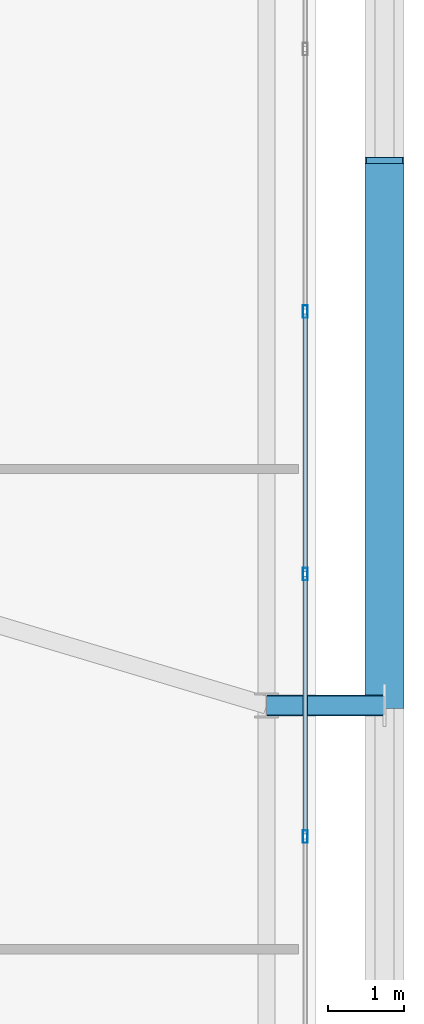
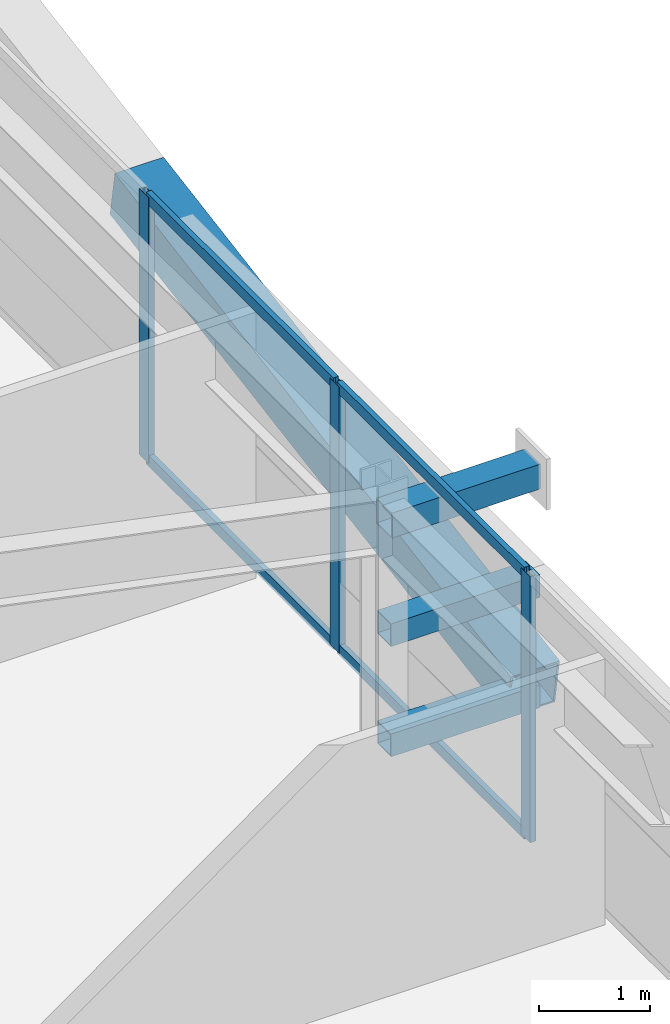
# One storey, part 30 of 59: 11 members, 1 element without a shape of its own.
"""IFC4 building model written with IfcOpenShell, lengths in metres."""

from ifc_helpers import new_model, si_unit, direction, frame, origin, origin_2d, place, context, subcontext, project, spatial, hollow_rectangle, extrude, source, transform, mapped, material, layer, layer_set, material_profile, profile_set, type_object, element, aggregate, save


model = new_model("IFC4")

# Units and contexts
model_context = context("Model", 3, precision=1e-05, world=origin(), true_north=direction((0.0, 1.0)))
body_context = subcontext(model_context, "Body", "Model", "MODEL_VIEW")
ifc_project = project(units=[si_unit("LENGTHUNIT", "METRE"), si_unit("AREAUNIT", "SQUARE_METRE"), si_unit("VOLUMEUNIT", "CUBIC_METRE"), si_unit("PLANEANGLEUNIT", "RADIAN"), si_unit("MASSUNIT", "GRAM", prefix="KILO")], contexts=[model_context])

# Site, building, storey
site_placement = place(None, origin())
site = spatial("IfcSite", under=ifc_project, at=site_placement, CompositionType="ELEMENT")
building_placement = place(site_placement, origin())
building = spatial("IfcBuilding", under=site, at=building_placement, Name="Taldren Reach Tower", CompositionType="ELEMENT")
storey_placement = place(building_placement, frame((0.0, 0.0, 45.14990234375)))
storey = spatial("IfcBuildingStorey", under=building, at=storey_placement, Name="L13", CompositionType="ELEMENT", Elevation=45.14990234375)

# Members
ifc_material_1 = material(Name="Steel Gr 450 (C450L0)", Category="steel")
ifc_material_profile_1 = material_profile(ifc_material_1, hollow_rectangle(XDim=0.27490234375, YDim=0.27490234375, WallThickness=0.00927734375, at=origin_2d()), Name="275x275x9.3SHS")
ifc_profile_set_1 = profile_set([ifc_material_profile_1], Name="Steel Gr 450 (C450L0)")
member_type_1 = type_object("IfcMemberType", Name="MB-TIE273", PredefinedType="STRUT", material=ifc_profile_set_1)
shared_shape_1 = source(origin(), body_context, "Body", "SweptSolid", [
    extrude(hollow_rectangle(XDim=0.27490234375, YDim=0.27490234375, WallThickness=0.00927734375, at=origin_2d()), origin(), (0.0, 0.0, 1.0), 1.5498046875),
])
member_1_placement = place(storey_placement, frame((64.35009765625, 20.0, 2.650146484375), z_axis=(1.0, 0.0, 0.0), x_axis=(0.0, 1.0, 0.0)))
element("IfcMember", 1, at=member_1_placement, inside=storey, type_object=member_type_1, Name="Exoskeleton diaphragm tie strut B1-E2 L13", PredefinedType="STRUT", context=body_context, shape_type="MappedRepresentation", body=[
    mapped(shared_shape_1, transform((0.0, 0.0, 0.0), scale=1.0)),
])
ifc_material_2 = material(Name="Steel Gr 350 (C350L0)", Category="steel")
ifc_material_profile_2 = material_profile(ifc_material_2, hollow_rectangle(XDim=0.25, YDim=0.25, WallThickness=0.010009765625, at=origin_2d()), Name="250x250x10.0SHS")
ifc_profile_set_2 = profile_set([ifc_material_profile_2], Name="Steel Gr 350 (C350L0)")
member_type_2 = type_object("IfcMemberType", Name="MB-POST250", PredefinedType="POST", material=ifc_profile_set_2)
shared_shape_2 = source(origin(), body_context, "Body", "SweptSolid", [
    extrude(hollow_rectangle(XDim=0.25, YDim=0.25, WallThickness=0.010009765625, at=origin_2d()), origin(), (0.0, 0.0, 1.0), 1.5498046875),
])
for number, where, z_axis, x_axis, name in (
    (2, (64.35009765625, 20.0, 0.22021484375), (1.0, 0.0, 0.0), (0.0, 1.0, 0.0), "Exoskeleton base diaphragm tie strut B1-E2 L13"),
    (3, (64.35009765625, 20.0, 1.43505859375), (1.0, 0.0, 0.0), (0.0, 1.0, 0.0), "Exoskeleton mid-tier diaphragm tie B1-E2 L13"),
):
    element("IfcMember", number, at=place(storey_placement, frame(where, z_axis=z_axis, x_axis=x_axis)), inside=storey, type_object=member_type_2, Name=name, PredefinedType="POST", context=body_context, shape_type="MappedRepresentation", body=[
        mapped(shared_shape_2, transform((0.0, 0.0, 0.0), scale=1.0)),
    ])
ifc_material_profile_3 = material_profile(ifc_material_1, hollow_rectangle(XDim=0.510009765625, YDim=0.510009765625, WallThickness=0.02001953125, at=origin_2d()), Name="510x510x20.0SHS")
ifc_profile_set_3 = profile_set([ifc_material_profile_3], Name="Steel Gr 450 (C450L0)")
member_type_3 = type_object("IfcMemberType", Name="MB-EXO508", PredefinedType="BRACE", material=ifc_profile_set_3)
shared_shape_3 = source(origin(), body_context, "Body", "SweptSolid", [
    extrude(hollow_rectangle(XDim=0.510009765625, YDim=0.510009765625, WallThickness=0.02001953125, at=origin_2d()), origin(), (0.0, 0.0, 1.0), 7.25244140625),
])
member_2_placement = place(storey_placement, frame((65.89990234375, 20.0, 0.22021484375), z_axis=(0.0, 0.985870415536, 0.167509772168), x_axis=(-1.0, 0.0, 0.0)))
element("IfcMember", 4, at=member_2_placement, inside=storey, type_object=member_type_3, Name="Exoskeleton Diagrid Brace B1-E2 L13", PredefinedType="BRACE", context=body_context, shape_type="MappedRepresentation", body=[
    mapped(shared_shape_3, transform((0.0, 0.0, 0.0), scale=1.0)),
])

# Curtain wall, members
ifc_material_3 = material(Name="Aluminium and Low-E Glass Unitised System", Category="aluminium")
ifc_layer = layer(ifc_material_3, 0.159912109375)
ifc_layer_set = layer_set([ifc_layer], Name="Aluminium and Low-E Glass Unitised System")
curtain_wall_type = type_object("IfcCurtainWallType", Name="CW-SYS-2", PredefinedType="NOTDEFINED", material=ifc_layer_set)
curtain_wall_placement = place(storey_placement, origin())
curtain_wall = element("IfcCurtainWall", 5, at=curtain_wall_placement, inside=storey, type_object=curtain_wall_type, Name="Unitised curtain wall CW-L13-E", PredefinedType="NOTDEFINED")
ifc_material_4 = material(Name="Anodised Aluminium 6063-T6", Category="aluminium")
ifc_material_profile_4 = material_profile(ifc_material_4, hollow_rectangle(XDim=0.054931640625, YDim=0.1201171875, WallThickness=0.0029296875, at=origin_2d()), Name="ALU-120x55x3RHS")
ifc_profile_set_4 = profile_set([ifc_material_profile_4], Name="Anodised Aluminium 6063-T6")
member_type_4 = type_object("IfcMemberType", Name="CW-TRN-135", PredefinedType="USERDEFINED", material=ifc_profile_set_4)
shared_shape_4 = source(origin(), body_context, "Body", "SweptSolid", [
    extrude(hollow_rectangle(XDim=0.054931640625, YDim=0.1201171875, WallThickness=0.0029296875, at=origin_2d()), origin(), (0.0, 0.0, 1.0), 3.37939453125),
])
member_3_placement = place(storey_placement, frame((64.860107421875, 18.310302734375, 0.027587890625), z_axis=(0.0, 1.0, 0.0), x_axis=(-1.0, 0.0, 0.0)))
member_3 = element("IfcMember", 6, at=member_3_placement, type_object=member_type_4, Name="CW-2 transom 5.1", ObjectType="TRANSOM", PredefinedType="USERDEFINED", context=body_context, shape_type="MappedRepresentation", body=[
    mapped(shared_shape_4, transform((0.0, 0.0, 0.0), scale=1.0)),
])
member_4_placement = place(storey_placement, frame((64.860107421875, 18.310302734375, 2.902587890625), z_axis=(0.0, 1.0, 0.0), x_axis=(-1.0, 0.0, 0.0)))
member_4 = element("IfcMember", 7, at=member_4_placement, type_object=member_type_4, Name="CW-2 transom 5.2", ObjectType="TRANSOM", PredefinedType="USERDEFINED", context=body_context, shape_type="MappedRepresentation", body=[
    mapped(shared_shape_4, transform((0.0, 0.0, 0.0), scale=1.0)),
])
shared_shape_5 = source(origin(), body_context, "Body", "SweptSolid", [
    extrude(hollow_rectangle(XDim=0.054931640625, YDim=0.1201171875, WallThickness=0.0029296875, at=origin_2d()), origin(), (0.0, 0.0, 1.0), 3.379638671875),
])
member_5_placement = place(storey_placement, frame((64.860107421875, 21.754638671875, 0.027587890625), z_axis=(0.0, 1.0, 0.0), x_axis=(-1.0, 0.0, 0.0)))
member_5 = element("IfcMember", 8, at=member_5_placement, type_object=member_type_4, Name="CW-2 transom 6.1", ObjectType="TRANSOM", PredefinedType="USERDEFINED", context=body_context, shape_type="MappedRepresentation", body=[
    mapped(shared_shape_5, transform((0.0, 0.0, 0.0), scale=1.0)),
])
member_6_placement = place(storey_placement, frame((64.860107421875, 21.754638671875, 2.902587890625), z_axis=(0.0, 1.0, 0.0), x_axis=(-1.0, 0.0, 0.0)))
member_6 = element("IfcMember", 9, at=member_6_placement, type_object=member_type_4, Name="CW-2 transom 6.2", ObjectType="TRANSOM", PredefinedType="USERDEFINED", context=body_context, shape_type="MappedRepresentation", body=[
    mapped(shared_shape_5, transform((0.0, 0.0, 0.0), scale=1.0)),
])
ifc_material_profile_5 = material_profile(ifc_material_4, hollow_rectangle(XDim=0.06494140625, YDim=0.1650390625, WallThickness=0.00390625, at=origin_2d()), Name="ALU-165x65x4RHS")
ifc_profile_set_5 = profile_set([ifc_material_profile_5], Name="Anodised Aluminium 6063-T6")
member_type_5 = type_object("IfcMemberType", Name="CW-MUL-165", PredefinedType="MULLION", material=ifc_profile_set_5)
shared_shape_6 = source(origin(), body_context, "Body", "SweptSolid", [
    extrude(hollow_rectangle(XDim=0.06494140625, YDim=0.1650390625, WallThickness=0.00390625, at=origin_2d()), origin(), (0.0, 0.0, 1.0), 2.93017578125),
])
member_7_placement = place(storey_placement, frame((64.860107421875, 18.27783203125, 0.0), z_axis=(0.0, 0.0, 1.0), x_axis=(-1.0, 0.0, 0.0)))
member_7 = element("IfcMember", 10, at=member_7_placement, type_object=member_type_5, Name="CW-2 mullion 5", PredefinedType="MULLION", context=body_context, shape_type="MappedRepresentation", body=[
    mapped(shared_shape_6, transform((0.0, 0.0, 0.0), scale=1.0)),
])
member_8_placement = place(storey_placement, frame((64.860107421875, 21.72216796875, 0.0), z_axis=(0.0, 0.0, 1.0), x_axis=(-1.0, 0.0, 0.0)))
member_8 = element("IfcMember", 11, at=member_8_placement, type_object=member_type_5, Name="CW-2 mullion 6", PredefinedType="MULLION", context=body_context, shape_type="MappedRepresentation", body=[
    mapped(shared_shape_6, transform((0.0, 0.0, 0.0), scale=1.0)),
])
member_9_placement = place(storey_placement, frame((64.860107421875, 25.166748046875, 0.0), z_axis=(0.0, 0.0, 1.0), x_axis=(-1.0, 0.0, 0.0)))
member_9 = element("IfcMember", 12, at=member_9_placement, type_object=member_type_5, Name="CW-2 mullion 7", PredefinedType="MULLION", context=body_context, shape_type="MappedRepresentation", body=[
    mapped(shared_shape_6, transform((0.0, 0.0, 0.0), scale=1.0)),
])
aggregate(curtain_wall, [member_7, member_8, member_9, member_3, member_4, member_5, member_6])

save(model, "model.ifc")
